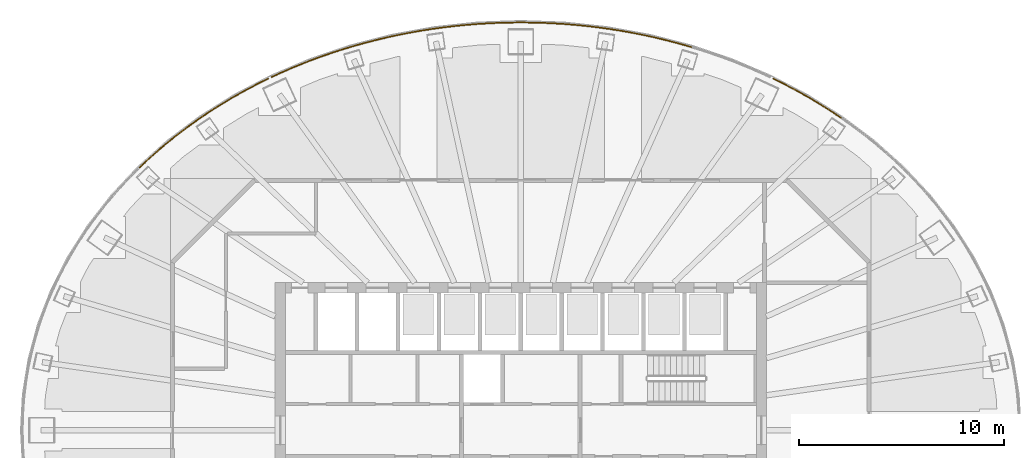
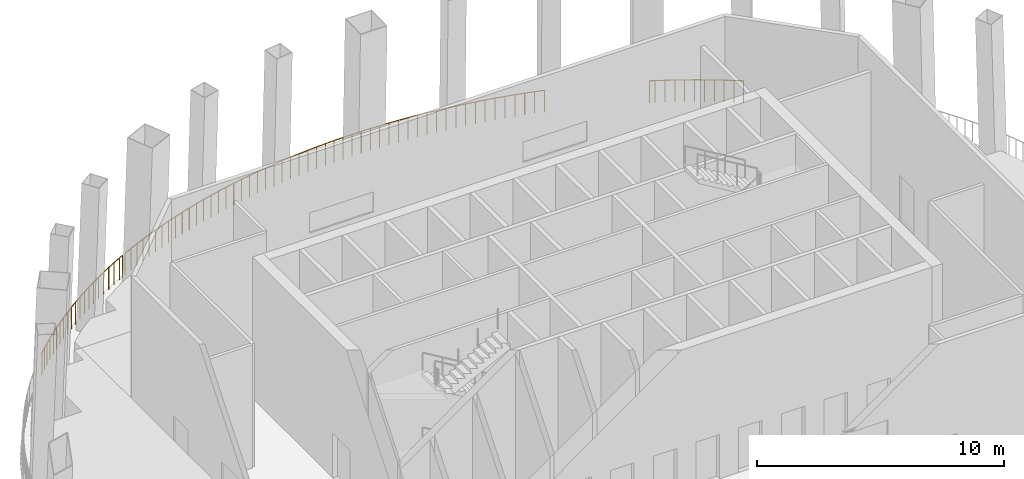
# One storey, part 13 of 15: 8 railings.
"""IFC4 building model written with IfcOpenShell, lengths in metres."""

from ifc_helpers import new_model, si_unit, direction, frame, origin, origin_2d, place, context, subcontext, project, spatial, circle, extrude, material, type_object, element, save


model = new_model("IFC4")

# Units and contexts
model_context = context("Model", 3, precision=1e-05, world=origin(), true_north=direction((0.0, 1.0)))
body_context = subcontext(model_context, "Body", "Model", "MODEL_VIEW")
ifc_project = project(units=[si_unit("LENGTHUNIT", "METRE"), si_unit("AREAUNIT", "SQUARE_METRE"), si_unit("VOLUMEUNIT", "CUBIC_METRE"), si_unit("PLANEANGLEUNIT", "RADIAN"), si_unit("MASSUNIT", "GRAM", prefix="KILO")], contexts=[model_context])

# Site, building, storey
site_placement = place(None, origin())
site = spatial("IfcSite", under=ifc_project, at=site_placement, CompositionType="ELEMENT")
building_placement = place(site_placement, origin())
building = spatial("IfcBuilding", under=site, at=building_placement, Name="Siaravel Broadcast Tower", CompositionType="ELEMENT")
storey_placement = place(building_placement, frame((0.0, 0.0, 145.199951171875)))
storey = spatial("IfcBuildingStorey", under=building, at=storey_placement, Name="L35", CompositionType="ELEMENT", Elevation=145.199951171875)

# Railings
ifc_material = material(Name="Steel S355", Category="steel")
railing_type = type_object("IfcRailingType", Name="Guard 1100", PredefinedType="GUARDRAIL", material=ifc_material)
railing_1_placement = place(storey_placement, frame((15.639892578125, 15.252197265625, 0.080078125)))
element("IfcRailing", 1, at=railing_1_placement, inside=storey, type_object=railing_type, Name="L35 sky garden guard 06", PredefinedType="GUARDRAIL", context=body_context, shape_type="SweptSolid", body=[
    extrude(circle(Radius=0.02392578125, at=origin_2d()), frame((0.0, 0.0, 1.076171875), z_axis=(-0.829085479, 0.559121873, 0.0), x_axis=(-0.559121873, -0.829085479, 0.0)), (0.0, 0.0, 1.0), 0.394287109375),
    extrude(circle(Radius=0.02392578125, at=origin_2d()), frame((-0.326904296875, 0.220458984375, 1.076171875), z_axis=(-0.838063561, 0.545572605, 0.0), x_axis=(-0.545572605, -0.838063561, 0.0)), (0.0, 0.0, 1.0), 0.396484375),
    extrude(circle(Radius=0.02392578125, at=origin_2d()), frame((-0.6591796875, 0.436767578125, 1.076171875), z_axis=(-0.847031383, 0.531542882, 0.0), x_axis=(-0.531542882, -0.847031383, 0.0)), (0.0, 0.0, 1.0), 0.397705078125),
    extrude(circle(Radius=0.02392578125, at=origin_2d()), frame((-0.99609375, 0.648193359375, 1.076171875), z_axis=(-0.855271779, 0.518179683, 0.0), x_axis=(-0.518179683, -0.855271779, 0.0)), (0.0, 0.0, 1.0), 0.399169921875),
    extrude(circle(Radius=0.02392578125, at=origin_2d()), frame((-1.33740234375, 0.85498046875, 1.076171875), z_axis=(-0.863513365, 0.504325955, 0.0), x_axis=(-0.504325955, -0.863513365, 0.0)), (0.0, 0.0, 1.0), 0.400390625),
    extrude(circle(Radius=0.02392578125, at=origin_2d()), frame((-1.68310546875, 1.056884765625, 1.076171875), z_axis=(-0.871737838, 0.489972592, 0.0), x_axis=(-0.489972592, -0.871737838, 0.0)), (0.0, 0.0, 1.0), 0.401611328125),
    extrude(circle(Radius=0.02392578125, at=origin_2d()), frame((-2.033203125, 1.253662109375, 1.076171875), z_axis=(-0.879397774, 0.47608776, 0.0), x_axis=(-0.47608776, -0.879397774, 0.0)), (0.0, 0.0, 1.0), 0.402587890625),
    extrude(circle(Radius=0.02392578125, at=origin_2d()), frame((-2.38720703125, 1.4453125, 1.076171875), z_axis=(-0.886810939, 0.462132404, 0.0), x_axis=(-0.462132404, -0.886810939, 0.0)), (0.0, 0.0, 1.0), 0.404052734375),
    extrude(circle(Radius=0.02392578125, at=origin_2d()), frame((-2.74560546875, 1.632080078125, 1.076171875), z_axis=(-0.893823666, 0.448418616, 0.0), x_axis=(-0.448418616, -0.893823666, 0.0)), (0.0, 0.0, 1.0), 0.405029296875),
    extrude(circle(Radius=0.02392578125, at=origin_2d()), frame((-3.107666015625, 1.813720703125, 1.076171875), z_axis=(-0.899571677, 0.436773166, 0.0), x_axis=(-0.436773166, -0.899571677, 0.0)), (0.0, 0.0, 1.0), 0.2158203125),
    extrude(circle(Radius=0.02099609375, at=origin_2d()), origin(), (0.0, 0.0, 1.0), 1.052001953125),
    extrude(circle(Radius=0.02099609375, at=origin_2d()), frame((-0.326904296875, 0.220458984375, 0.0)), (0.0, 0.0, 1.0), 1.052001953125),
    extrude(circle(Radius=0.02099609375, at=origin_2d()), frame((-0.6591796875, 0.436767578125, 0.0)), (0.0, 0.0, 1.0), 1.052001953125),
    extrude(circle(Radius=0.02099609375, at=origin_2d()), frame((-0.99609375, 0.648193359375, 0.0)), (0.0, 0.0, 1.0), 1.052001953125),
    extrude(circle(Radius=0.02099609375, at=origin_2d()), frame((-1.33740234375, 0.85498046875, 0.0)), (0.0, 0.0, 1.0), 1.052001953125),
    extrude(circle(Radius=0.02099609375, at=origin_2d()), frame((-1.68310546875, 1.056884765625, 0.0)), (0.0, 0.0, 1.0), 1.052001953125),
    extrude(circle(Radius=0.02099609375, at=origin_2d()), frame((-2.033203125, 1.253662109375, 0.0)), (0.0, 0.0, 1.0), 1.052001953125),
    extrude(circle(Radius=0.02099609375, at=origin_2d()), frame((-2.38720703125, 1.4453125, 0.0)), (0.0, 0.0, 1.0), 1.052001953125),
    extrude(circle(Radius=0.02099609375, at=origin_2d()), frame((-2.74560546875, 1.632080078125, 0.0)), (0.0, 0.0, 1.0), 1.052001953125),
    extrude(circle(Radius=0.02099609375, at=origin_2d()), frame((-3.107666015625, 1.813720703125, 0.0)), (0.0, 0.0, 1.0), 1.052001953125),
    extrude(circle(Radius=0.02099609375, at=origin_2d()), frame((-3.3017578125, 1.907958984375, 0.0)), (0.0, 0.0, 1.0), 1.052001953125),
])
railing_2_placement = place(storey_placement, frame((8.322265625, 18.708984375, 0.080078125)))
element("IfcRailing", 2, at=railing_2_placement, inside=storey, type_object=railing_type, Name="L35 sky garden guard 08", PredefinedType="GUARDRAIL", context=body_context, shape_type="SweptSolid", body=[
    extrude(circle(Radius=0.02392578125, at=origin_2d()), frame((0.0, 0.0, 1.076171875), z_axis=(-0.96047772, 0.278356874, 0.0), x_axis=(-0.278356874, -0.96047772, 0.0)), (0.0, 0.0, 1.0), 0.41650390625),
    extrude(circle(Radius=0.02392578125, at=origin_2d()), frame((-0.400146484375, 0.115966796875, 1.076171875), z_axis=(-0.964466449, 0.264205354, 0.0), x_axis=(-0.264205354, -0.964466449, 0.0)), (0.0, 0.0, 1.0), 0.417724609375),
    extrude(circle(Radius=0.02392578125, at=origin_2d()), frame((-0.802978515625, 0.226318359375, 1.076171875), z_axis=(-0.968436589, 0.24926005, 0.0), x_axis=(-0.24926005, -0.968436589, 0.0)), (0.0, 0.0, 1.0), 0.418212890625),
    extrude(circle(Radius=0.02392578125, at=origin_2d()), frame((-1.2080078125, 0.33056640625, 1.076171875), z_axis=(-0.971898599, 0.2353999, 0.0), x_axis=(-0.2353999, -0.971898599, 0.0)), (0.0, 0.0, 1.0), 0.4189453125),
    extrude(circle(Radius=0.02392578125, at=origin_2d()), frame((-1.615234375, 0.42919921875, 1.076171875), z_axis=(-0.975121424, 0.221671398, 0.0), x_axis=(-0.221671398, -0.975121424, 0.0)), (0.0, 0.0, 1.0), 0.419677734375),
    extrude(circle(Radius=0.02392578125, at=origin_2d()), frame((-2.0244140625, 0.522216796875, 1.076171875), z_axis=(-0.978376842, 0.206830259, 0.0), x_axis=(-0.206830259, -0.978376842, 0.0)), (0.0, 0.0, 1.0), 0.420166015625),
    extrude(circle(Radius=0.02392578125, at=origin_2d()), frame((-2.435546875, 0.609130859375, 1.076171875), z_axis=(-0.981178249, 0.19310423, 0.0), x_axis=(-0.19310423, -0.981178249, 0.0)), (0.0, 0.0, 1.0), 0.4208984375),
    extrude(circle(Radius=0.02392578125, at=origin_2d()), frame((-2.8486328125, 0.6904296875, 1.076171875), z_axis=(-0.983943998, 0.178477474, 0.0), x_axis=(-0.178477474, -0.983943998, 0.0)), (0.0, 0.0, 1.0), 0.42138671875),
    extrude(circle(Radius=0.02392578125, at=origin_2d()), frame((-3.26318359375, 0.765625, 1.076171875), z_axis=(-0.986503169, 0.163742168, 0.0), x_axis=(-0.163742168, -0.986503169, 0.0)), (0.0, 0.0, 1.0), 0.421875),
    extrude(circle(Radius=0.02392578125, at=origin_2d()), frame((-3.679443359375, 0.834716796875, 1.076171875), z_axis=(-0.988637523, 0.150319156, 0.0), x_axis=(-0.150319156, -0.988637523, 0.0)), (0.0, 0.0, 1.0), 0.42236328125),
    extrude(circle(Radius=0.02099609375, at=origin_2d()), origin(), (0.0, 0.0, 1.0), 1.052001953125),
    extrude(circle(Radius=0.02099609375, at=origin_2d()), frame((-0.400146484375, 0.115966796875, 0.0)), (0.0, 0.0, 1.0), 1.052001953125),
    extrude(circle(Radius=0.02099609375, at=origin_2d()), frame((-0.802978515625, 0.226318359375, 0.0)), (0.0, 0.0, 1.0), 1.052001953125),
    extrude(circle(Radius=0.02099609375, at=origin_2d()), frame((-1.2080078125, 0.33056640625, 0.0)), (0.0, 0.0, 1.0), 1.052001953125),
    extrude(circle(Radius=0.02099609375, at=origin_2d()), frame((-1.615234375, 0.42919921875, 0.0)), (0.0, 0.0, 1.0), 1.052001953125),
    extrude(circle(Radius=0.02099609375, at=origin_2d()), frame((-2.0244140625, 0.522216796875, 0.0)), (0.0, 0.0, 1.0), 1.052001953125),
    extrude(circle(Radius=0.02099609375, at=origin_2d()), frame((-2.435546875, 0.609130859375, 0.0)), (0.0, 0.0, 1.0), 1.052001953125),
    extrude(circle(Radius=0.02099609375, at=origin_2d()), frame((-2.8486328125, 0.6904296875, 0.0)), (0.0, 0.0, 1.0), 1.052001953125),
    extrude(circle(Radius=0.02099609375, at=origin_2d()), frame((-3.26318359375, 0.765625, 0.0)), (0.0, 0.0, 1.0), 1.052001953125),
    extrude(circle(Radius=0.02099609375, at=origin_2d()), frame((-3.679443359375, 0.834716796875, 0.0)), (0.0, 0.0, 1.0), 1.052001953125),
    extrude(circle(Radius=0.02099609375, at=origin_2d()), frame((-4.096923828125, 0.898193359375, 0.0)), (0.0, 0.0, 1.0), 1.052001953125),
])
railing_3_placement = place(storey_placement, frame((4.225341796875, 19.607177734375, 0.080078125)))
element("IfcRailing", 3, at=railing_3_placement, inside=storey, type_object=railing_type, Name="L35 sky garden guard 09", PredefinedType="GUARDRAIL", context=body_context, shape_type="SweptSolid", body=[
    extrude(circle(Radius=0.02392578125, at=origin_2d()), frame((0.0, 0.0, 1.076171875), z_axis=(-0.990752712, 0.135680004, 0.0), x_axis=(-0.135680004, -0.990752712, 0.0)), (0.0, 0.0, 1.0), 0.4228515625),
    extrude(circle(Radius=0.02392578125, at=origin_2d()), frame((-0.4189453125, 0.057373046875, 1.076171875), z_axis=(-0.992628954, 0.12119307, 0.0), x_axis=(-0.12119307, -0.992628954, 0.0)), (0.0, 0.0, 1.0), 0.423095703125),
    extrude(circle(Radius=0.02392578125, at=origin_2d()), frame((-0.8388671875, 0.108642578125, 1.076171875), z_axis=(-0.994236972, 0.107204682, 0.0), x_axis=(-0.107204682, -0.994236972, 0.0)), (0.0, 0.0, 1.0), 0.423583984375),
    extrude(circle(Radius=0.02392578125, at=origin_2d()), frame((-1.260009765625, 0.154052734375, 1.076171875), z_axis=(-0.995687611, 0.092769505, 0.0), x_axis=(-0.092769505, -0.995687611, 0.0)), (0.0, 0.0, 1.0), 0.423583984375),
    extrude(circle(Radius=0.02392578125, at=origin_2d()), frame((-1.681884765625, 0.193359375, 1.076171875), z_axis=(-0.996931336, 0.078280982, 0.0), x_axis=(-0.078280982, -0.996931336, 0.0)), (0.0, 0.0, 1.0), 0.424072265625),
    extrude(circle(Radius=0.02392578125, at=origin_2d()), frame((-2.104736328125, 0.2265625, 1.076171875), z_axis=(-0.997918142, 0.064493267, 0.0), x_axis=(-0.064493267, -0.997918142, 0.0)), (0.0, 0.0, 1.0), 0.424072265625),
    extrude(circle(Radius=0.02392578125, at=origin_2d()), frame((-2.52783203125, 0.25390625, 1.076171875), z_axis=(-0.998748034, 0.050023649, 0.0), x_axis=(-0.050023649, -0.998748034, 0.0)), (0.0, 0.0, 1.0), 0.424560546875),
    extrude(circle(Radius=0.02392578125, at=origin_2d()), frame((-2.951904296875, 0.275146484375, 1.076171875), z_axis=(-0.999364318, 0.035650511, 0.0), x_axis=(-0.035650511, -0.999364318, 0.0)), (0.0, 0.0, 1.0), 0.424560546875),
    extrude(circle(Radius=0.02392578125, at=origin_2d()), frame((-3.376220703125, 0.290283203125, 1.076171875), z_axis=(-0.99977347, 0.021284015, 0.0), x_axis=(-0.021284015, -0.99977347, 0.0)), (0.0, 0.0, 1.0), 0.42431640625),
    extrude(circle(Radius=0.02392578125, at=origin_2d()), frame((-3.800537109375, 0.29931640625, 1.076171875), z_axis=(-0.999972091, 0.007471056, 0.0), x_axis=(-0.007471056, -0.999972091, 0.0)), (0.0, 0.0, 1.0), 0.4248046875),
    extrude(circle(Radius=0.02099609375, at=origin_2d()), origin(), (0.0, 0.0, 1.0), 1.052001953125),
    extrude(circle(Radius=0.02099609375, at=origin_2d()), frame((-0.4189453125, 0.057373046875, 0.0)), (0.0, 0.0, 1.0), 1.052001953125),
    extrude(circle(Radius=0.02099609375, at=origin_2d()), frame((-0.8388671875, 0.108642578125, 0.0)), (0.0, 0.0, 1.0), 1.052001953125),
    extrude(circle(Radius=0.02099609375, at=origin_2d()), frame((-1.260009765625, 0.154052734375, 0.0)), (0.0, 0.0, 1.0), 1.052001953125),
    extrude(circle(Radius=0.02099609375, at=origin_2d()), frame((-1.681884765625, 0.193359375, 0.0)), (0.0, 0.0, 1.0), 1.052001953125),
    extrude(circle(Radius=0.02099609375, at=origin_2d()), frame((-2.104736328125, 0.2265625, 0.0)), (0.0, 0.0, 1.0), 1.052001953125),
    extrude(circle(Radius=0.02099609375, at=origin_2d()), frame((-2.52783203125, 0.25390625, 0.0)), (0.0, 0.0, 1.0), 1.052001953125),
    extrude(circle(Radius=0.02099609375, at=origin_2d()), frame((-2.951904296875, 0.275146484375, 0.0)), (0.0, 0.0, 1.0), 1.052001953125),
    extrude(circle(Radius=0.02099609375, at=origin_2d()), frame((-3.376220703125, 0.290283203125, 0.0)), (0.0, 0.0, 1.0), 1.052001953125),
    extrude(circle(Radius=0.02099609375, at=origin_2d()), frame((-3.800537109375, 0.29931640625, 0.0)), (0.0, 0.0, 1.0), 1.052001953125),
    extrude(circle(Radius=0.02099609375, at=origin_2d()), frame((-4.225341796875, 0.302490234375, 0.0)), (0.0, 0.0, 1.0), 1.052001953125),
])
railing_4_placement = place(storey_placement, frame((0.0, 19.90966796875, 0.080078125)))
element("IfcRailing", 4, at=railing_4_placement, inside=storey, type_object=railing_type, Name="L35 sky garden guard 10", PredefinedType="GUARDRAIL", context=body_context, shape_type="SweptSolid", body=[
    extrude(circle(Radius=0.02392578125, at=origin_2d()), frame((0.0, 0.0, 1.076171875), z_axis=(-0.999972091, -0.007471056, 0.0), x_axis=(0.007471056, -0.999972091, 0.0)), (0.0, 0.0, 1.0), 0.4248046875),
    extrude(circle(Radius=0.02392578125, at=origin_2d()), frame((-0.4248046875, -0.003173828125, 1.076171875), z_axis=(-0.99977347, -0.021284015, 0.0), x_axis=(0.021284015, -0.99977347, 0.0)), (0.0, 0.0, 1.0), 0.42431640625),
    extrude(circle(Radius=0.02392578125, at=origin_2d()), frame((-0.84912109375, -0.01220703125, 1.076171875), z_axis=(-0.999364318, -0.035650511, 0.0), x_axis=(0.035650511, -0.999364318, 0.0)), (0.0, 0.0, 1.0), 0.424560546875),
    extrude(circle(Radius=0.02392578125, at=origin_2d()), frame((-1.2734375, -0.02734375, 1.076171875), z_axis=(-0.998748034, -0.050023649, 0.0), x_axis=(0.050023649, -0.998748034, 0.0)), (0.0, 0.0, 1.0), 0.424560546875),
    extrude(circle(Radius=0.02392578125, at=origin_2d()), frame((-1.697509765625, -0.048583984375, 1.076171875), z_axis=(-0.997918142, -0.064493267, 0.0), x_axis=(0.064493267, -0.997918142, 0.0)), (0.0, 0.0, 1.0), 0.424072265625),
    extrude(circle(Radius=0.02392578125, at=origin_2d()), frame((-2.12060546875, -0.075927734375, 1.076171875), z_axis=(-0.996931336, -0.078280982, 0.0), x_axis=(0.078280982, -0.996931336, 0.0)), (0.0, 0.0, 1.0), 0.424072265625),
    extrude(circle(Radius=0.02392578125, at=origin_2d()), frame((-2.54345703125, -0.109130859375, 1.076171875), z_axis=(-0.995687611, -0.092769505, 0.0), x_axis=(0.092769505, -0.995687611, 0.0)), (0.0, 0.0, 1.0), 0.423583984375),
    extrude(circle(Radius=0.02392578125, at=origin_2d()), frame((-2.96533203125, -0.1484375, 1.076171875), z_axis=(-0.994236972, -0.107204682, 0.0), x_axis=(0.107204682, -0.994236972, 0.0)), (0.0, 0.0, 1.0), 0.423583984375),
    extrude(circle(Radius=0.02392578125, at=origin_2d()), frame((-3.386474609375, -0.19384765625, 1.076171875), z_axis=(-0.992628954, -0.12119307, 0.0), x_axis=(0.12119307, -0.992628954, 0.0)), (0.0, 0.0, 1.0), 0.423095703125),
    extrude(circle(Radius=0.02392578125, at=origin_2d()), frame((-3.806396484375, -0.2451171875, 1.076171875), z_axis=(-0.990752712, -0.135680004, 0.0), x_axis=(0.135680004, -0.990752712, 0.0)), (0.0, 0.0, 1.0), 0.4228515625),
    extrude(circle(Radius=0.02099609375, at=origin_2d()), origin(), (0.0, 0.0, 1.0), 1.052001953125),
    extrude(circle(Radius=0.02099609375, at=origin_2d()), frame((-0.4248046875, -0.003173828125, 0.0)), (0.0, 0.0, 1.0), 1.052001953125),
    extrude(circle(Radius=0.02099609375, at=origin_2d()), frame((-0.84912109375, -0.01220703125, 0.0)), (0.0, 0.0, 1.0), 1.052001953125),
    extrude(circle(Radius=0.02099609375, at=origin_2d()), frame((-1.2734375, -0.02734375, 0.0)), (0.0, 0.0, 1.0), 1.052001953125),
    extrude(circle(Radius=0.02099609375, at=origin_2d()), frame((-1.697509765625, -0.048583984375, 0.0)), (0.0, 0.0, 1.0), 1.052001953125),
    extrude(circle(Radius=0.02099609375, at=origin_2d()), frame((-2.12060546875, -0.075927734375, 0.0)), (0.0, 0.0, 1.0), 1.052001953125),
    extrude(circle(Radius=0.02099609375, at=origin_2d()), frame((-2.54345703125, -0.109130859375, 0.0)), (0.0, 0.0, 1.0), 1.052001953125),
    extrude(circle(Radius=0.02099609375, at=origin_2d()), frame((-2.96533203125, -0.1484375, 0.0)), (0.0, 0.0, 1.0), 1.052001953125),
    extrude(circle(Radius=0.02099609375, at=origin_2d()), frame((-3.386474609375, -0.19384765625, 0.0)), (0.0, 0.0, 1.0), 1.052001953125),
    extrude(circle(Radius=0.02099609375, at=origin_2d()), frame((-3.806396484375, -0.2451171875, 0.0)), (0.0, 0.0, 1.0), 1.052001953125),
    extrude(circle(Radius=0.02099609375, at=origin_2d()), frame((-4.225341796875, -0.302490234375, 0.0)), (0.0, 0.0, 1.0), 1.052001953125),
])
railing_5_placement = place(storey_placement, frame((-4.225341796875, 19.607177734375, 0.080078125)))
element("IfcRailing", 5, at=railing_5_placement, inside=storey, type_object=railing_type, Name="L35 sky garden guard 11", PredefinedType="GUARDRAIL", context=body_context, shape_type="SweptSolid", body=[
    extrude(circle(Radius=0.02392578125, at=origin_2d()), frame((0.0, 0.0, 1.076171875), z_axis=(-0.988637523, -0.150319156, 0.0), x_axis=(0.150319156, -0.988637523, 0.0)), (0.0, 0.0, 1.0), 0.42236328125),
    extrude(circle(Radius=0.02392578125, at=origin_2d()), frame((-0.41748046875, -0.0634765625, 1.076171875), z_axis=(-0.986503169, -0.163742168, 0.0), x_axis=(0.163742168, -0.986503169, 0.0)), (0.0, 0.0, 1.0), 0.421875),
    extrude(circle(Radius=0.02392578125, at=origin_2d()), frame((-0.833740234375, -0.132568359375, 1.076171875), z_axis=(-0.983943998, -0.178477474, 0.0), x_axis=(0.178477474, -0.983943998, 0.0)), (0.0, 0.0, 1.0), 0.42138671875),
    extrude(circle(Radius=0.02392578125, at=origin_2d()), frame((-1.248291015625, -0.207763671875, 1.076171875), z_axis=(-0.981178249, -0.19310423, 0.0), x_axis=(0.19310423, -0.981178249, 0.0)), (0.0, 0.0, 1.0), 0.4208984375),
    extrude(circle(Radius=0.02392578125, at=origin_2d()), frame((-1.661376953125, -0.2890625, 1.076171875), z_axis=(-0.978376842, -0.206830259, 0.0), x_axis=(0.206830259, -0.978376842, 0.0)), (0.0, 0.0, 1.0), 0.420166015625),
    extrude(circle(Radius=0.02392578125, at=origin_2d()), frame((-2.072509765625, -0.3759765625, 1.076171875), z_axis=(-0.975121424, -0.221671398, 0.0), x_axis=(0.221671398, -0.975121424, 0.0)), (0.0, 0.0, 1.0), 0.419677734375),
    extrude(circle(Radius=0.02392578125, at=origin_2d()), frame((-2.481689453125, -0.468994140625, 1.076171875), z_axis=(-0.971898599, -0.2353999, 0.0), x_axis=(0.2353999, -0.971898599, 0.0)), (0.0, 0.0, 1.0), 0.4189453125),
    extrude(circle(Radius=0.02392578125, at=origin_2d()), frame((-2.888916015625, -0.567626953125, 1.076171875), z_axis=(-0.968436589, -0.24926005, 0.0), x_axis=(0.24926005, -0.968436589, 0.0)), (0.0, 0.0, 1.0), 0.418212890625),
    extrude(circle(Radius=0.02392578125, at=origin_2d()), frame((-3.2939453125, -0.671875, 1.076171875), z_axis=(-0.964466449, -0.264205354, 0.0), x_axis=(0.264205354, -0.964466449, 0.0)), (0.0, 0.0, 1.0), 0.417724609375),
    extrude(circle(Radius=0.02392578125, at=origin_2d()), frame((-3.69677734375, -0.7822265625, 1.076171875), z_axis=(-0.96047772, -0.278356874, 0.0), x_axis=(0.278356874, -0.96047772, 0.0)), (0.0, 0.0, 1.0), 0.41650390625),
    extrude(circle(Radius=0.02099609375, at=origin_2d()), origin(), (0.0, 0.0, 1.0), 1.052001953125),
    extrude(circle(Radius=0.02099609375, at=origin_2d()), frame((-0.41748046875, -0.0634765625, 0.0)), (0.0, 0.0, 1.0), 1.052001953125),
    extrude(circle(Radius=0.02099609375, at=origin_2d()), frame((-0.833740234375, -0.132568359375, 0.0)), (0.0, 0.0, 1.0), 1.052001953125),
    extrude(circle(Radius=0.02099609375, at=origin_2d()), frame((-1.248291015625, -0.207763671875, 0.0)), (0.0, 0.0, 1.0), 1.052001953125),
    extrude(circle(Radius=0.02099609375, at=origin_2d()), frame((-1.661376953125, -0.2890625, 0.0)), (0.0, 0.0, 1.0), 1.052001953125),
    extrude(circle(Radius=0.02099609375, at=origin_2d()), frame((-2.072509765625, -0.3759765625, 0.0)), (0.0, 0.0, 1.0), 1.052001953125),
    extrude(circle(Radius=0.02099609375, at=origin_2d()), frame((-2.481689453125, -0.468994140625, 0.0)), (0.0, 0.0, 1.0), 1.052001953125),
    extrude(circle(Radius=0.02099609375, at=origin_2d()), frame((-2.888916015625, -0.567626953125, 0.0)), (0.0, 0.0, 1.0), 1.052001953125),
    extrude(circle(Radius=0.02099609375, at=origin_2d()), frame((-3.2939453125, -0.671875, 0.0)), (0.0, 0.0, 1.0), 1.052001953125),
    extrude(circle(Radius=0.02099609375, at=origin_2d()), frame((-3.69677734375, -0.7822265625, 0.0)), (0.0, 0.0, 1.0), 1.052001953125),
    extrude(circle(Radius=0.02099609375, at=origin_2d()), frame((-4.096923828125, -0.898193359375, 0.0)), (0.0, 0.0, 1.0), 1.052001953125),
])
railing_6_placement = place(storey_placement, frame((-8.322265625, 18.708984375, 0.080078125)))
element("IfcRailing", 6, at=railing_6_placement, inside=storey, type_object=railing_type, Name="L35 sky garden guard 12", PredefinedType="GUARDRAIL", context=body_context, shape_type="SweptSolid", body=[
    extrude(circle(Radius=0.02392578125, at=origin_2d()), frame((0.0, 0.0, 1.076171875), z_axis=(-0.956196605, -0.292725218, 0.0), x_axis=(0.292725218, -0.956196605, 0.0)), (0.0, 0.0, 1.0), 0.416259765625),
    extrude(circle(Radius=0.02392578125, at=origin_2d()), frame((-0.39794921875, -0.121826171875, 1.076171875), z_axis=(-0.951869286, -0.306504263, 0.0), x_axis=(0.306504263, -0.951869286, 0.0)), (0.0, 0.0, 1.0), 0.4150390625),
    extrude(circle(Radius=0.02392578125, at=origin_2d()), frame((-0.79296875, -0.2490234375, 1.076171875), z_axis=(-0.947020316, -0.321173661, 0.0), x_axis=(0.321173661, -0.947020316, 0.0)), (0.0, 0.0, 1.0), 0.414306640625),
    extrude(circle(Radius=0.02392578125, at=origin_2d()), frame((-1.185302734375, -0.382080078125, 1.076171875), z_axis=(-0.942048858, -0.335475706, 0.0), x_axis=(0.335475706, -0.942048858, 0.0)), (0.0, 0.0, 1.0), 0.413330078125),
    extrude(circle(Radius=0.02392578125, at=origin_2d()), frame((-1.57470703125, -0.520751953125, 1.076171875), z_axis=(-0.937032744, -0.349241516, 0.0), x_axis=(0.349241516, -0.937032744, 0.0)), (0.0, 0.0, 1.0), 0.412353515625),
    extrude(circle(Radius=0.02392578125, at=origin_2d()), frame((-1.961181640625, -0.664794921875, 1.076171875), z_axis=(-0.931513893, -0.363705743, 0.0), x_axis=(0.363705743, -0.931513893, 0.0)), (0.0, 0.0, 1.0), 0.411376953125),
    extrude(circle(Radius=0.02392578125, at=origin_2d()), frame((-2.344482421875, -0.814453125, 1.076171875), z_axis=(-0.925953766, -0.377636893, 0.0), x_axis=(0.377636893, -0.925953766, 0.0)), (0.0, 0.0, 1.0), 0.41064453125),
    extrude(circle(Radius=0.02392578125, at=origin_2d()), frame((-2.724609375, -0.969482421875, 1.076171875), z_axis=(-0.920067764, -0.391759249, 0.0), x_axis=(0.391759249, -0.920067764, 0.0)), (0.0, 0.0, 1.0), 0.409423828125),
    extrude(circle(Radius=0.02392578125, at=origin_2d()), frame((-3.101318359375, -1.1298828125, 1.076171875), z_axis=(-0.913934751, -0.405861148, 0.0), x_axis=(0.405861148, -0.913934751, 0.0)), (0.0, 0.0, 1.0), 0.408447265625),
    extrude(circle(Radius=0.02392578125, at=origin_2d()), frame((-3.474609375, -1.295654296875, 1.076171875), z_axis=(-0.90744998, -0.420160129, 0.0), x_axis=(0.420160129, -0.90744998, 0.0)), (0.0, 0.0, 1.0), 0.4072265625),
    extrude(circle(Radius=0.02099609375, at=origin_2d()), origin(), (0.0, 0.0, 1.0), 1.052001953125),
    extrude(circle(Radius=0.02099609375, at=origin_2d()), frame((-0.39794921875, -0.121826171875, 0.0)), (0.0, 0.0, 1.0), 1.052001953125),
    extrude(circle(Radius=0.02099609375, at=origin_2d()), frame((-0.79296875, -0.2490234375, 0.0)), (0.0, 0.0, 1.0), 1.052001953125),
    extrude(circle(Radius=0.02099609375, at=origin_2d()), frame((-1.185302734375, -0.382080078125, 0.0)), (0.0, 0.0, 1.0), 1.052001953125),
    extrude(circle(Radius=0.02099609375, at=origin_2d()), frame((-1.57470703125, -0.520751953125, 0.0)), (0.0, 0.0, 1.0), 1.052001953125),
    extrude(circle(Radius=0.02099609375, at=origin_2d()), frame((-1.961181640625, -0.664794921875, 0.0)), (0.0, 0.0, 1.0), 1.052001953125),
    extrude(circle(Radius=0.02099609375, at=origin_2d()), frame((-2.344482421875, -0.814453125, 0.0)), (0.0, 0.0, 1.0), 1.052001953125),
    extrude(circle(Radius=0.02099609375, at=origin_2d()), frame((-2.724609375, -0.969482421875, 0.0)), (0.0, 0.0, 1.0), 1.052001953125),
    extrude(circle(Radius=0.02099609375, at=origin_2d()), frame((-3.101318359375, -1.1298828125, 0.0)), (0.0, 0.0, 1.0), 1.052001953125),
    extrude(circle(Radius=0.02099609375, at=origin_2d()), frame((-3.474609375, -1.295654296875, 0.0)), (0.0, 0.0, 1.0), 1.052001953125),
    extrude(circle(Radius=0.02099609375, at=origin_2d()), frame((-3.84423828125, -1.466796875, 0.0)), (0.0, 0.0, 1.0), 1.052001953125),
])
railing_7_placement = place(storey_placement, frame((-12.338134765625, 17.16015625, 0.080078125)))
element("IfcRailing", 7, at=railing_7_placement, inside=storey, type_object=railing_type, Name="L35 sky garden guard 13", PredefinedType="GUARDRAIL", context=body_context, shape_type="SweptSolid", body=[
    extrude(circle(Radius=0.02392578125, at=origin_2d()), frame((0.0, 0.0, 1.076171875), z_axis=(-0.899571677, -0.436773166, 0.0), x_axis=(0.436773166, -0.899571677, 0.0)), (0.0, 0.0, 1.0), 0.2158203125),
    extrude(circle(Radius=0.02392578125, at=origin_2d()), frame((-0.194091796875, -0.09423828125, 1.076171875), z_axis=(-0.893823666, -0.448418616, 0.0), x_axis=(0.448418616, -0.893823666, 0.0)), (0.0, 0.0, 1.0), 0.405029296875),
    extrude(circle(Radius=0.02392578125, at=origin_2d()), frame((-0.55615234375, -0.27587890625, 1.076171875), z_axis=(-0.886810939, -0.462132404, 0.0), x_axis=(0.462132404, -0.886810939, 0.0)), (0.0, 0.0, 1.0), 0.404052734375),
    extrude(circle(Radius=0.02392578125, at=origin_2d()), frame((-0.91455078125, -0.462646484375, 1.076171875), z_axis=(-0.879397774, -0.47608776, 0.0), x_axis=(0.47608776, -0.879397774, 0.0)), (0.0, 0.0, 1.0), 0.402587890625),
    extrude(circle(Radius=0.02392578125, at=origin_2d()), frame((-1.2685546875, -0.654296875, 1.076171875), z_axis=(-0.871737838, -0.489972592, 0.0), x_axis=(0.489972592, -0.871737838, 0.0)), (0.0, 0.0, 1.0), 0.401611328125),
    extrude(circle(Radius=0.02392578125, at=origin_2d()), frame((-1.61865234375, -0.85107421875, 1.076171875), z_axis=(-0.863513365, -0.504325955, 0.0), x_axis=(0.504325955, -0.863513365, 0.0)), (0.0, 0.0, 1.0), 0.400390625),
    extrude(circle(Radius=0.02392578125, at=origin_2d()), frame((-1.96435546875, -1.052978515625, 1.076171875), z_axis=(-0.855271779, -0.518179683, 0.0), x_axis=(0.518179683, -0.855271779, 0.0)), (0.0, 0.0, 1.0), 0.399169921875),
    extrude(circle(Radius=0.02392578125, at=origin_2d()), frame((-2.3056640625, -1.259765625, 1.076171875), z_axis=(-0.847031383, -0.531542882, 0.0), x_axis=(0.531542882, -0.847031383, 0.0)), (0.0, 0.0, 1.0), 0.397705078125),
    extrude(circle(Radius=0.02392578125, at=origin_2d()), frame((-2.642578125, -1.47119140625, 1.076171875), z_axis=(-0.838063561, -0.545572605, 0.0), x_axis=(0.545572605, -0.838063561, 0.0)), (0.0, 0.0, 1.0), 0.396484375),
    extrude(circle(Radius=0.02392578125, at=origin_2d()), frame((-2.974853515625, -1.6875, 1.076171875), z_axis=(-0.829085479, -0.559121873, 0.0), x_axis=(0.559121873, -0.829085479, 0.0)), (0.0, 0.0, 1.0), 0.394287109375),
    extrude(circle(Radius=0.02099609375, at=origin_2d()), origin(), (0.0, 0.0, 1.0), 1.052001953125),
    extrude(circle(Radius=0.02099609375, at=origin_2d()), frame((-0.194091796875, -0.09423828125, 0.0)), (0.0, 0.0, 1.0), 1.052001953125),
    extrude(circle(Radius=0.02099609375, at=origin_2d()), frame((-0.55615234375, -0.27587890625, 0.0)), (0.0, 0.0, 1.0), 1.052001953125),
    extrude(circle(Radius=0.02099609375, at=origin_2d()), frame((-0.91455078125, -0.462646484375, 0.0)), (0.0, 0.0, 1.0), 1.052001953125),
    extrude(circle(Radius=0.02099609375, at=origin_2d()), frame((-1.2685546875, -0.654296875, 0.0)), (0.0, 0.0, 1.0), 1.052001953125),
    extrude(circle(Radius=0.02099609375, at=origin_2d()), frame((-1.61865234375, -0.85107421875, 0.0)), (0.0, 0.0, 1.0), 1.052001953125),
    extrude(circle(Radius=0.02099609375, at=origin_2d()), frame((-1.96435546875, -1.052978515625, 0.0)), (0.0, 0.0, 1.0), 1.052001953125),
    extrude(circle(Radius=0.02099609375, at=origin_2d()), frame((-2.3056640625, -1.259765625, 0.0)), (0.0, 0.0, 1.0), 1.052001953125),
    extrude(circle(Radius=0.02099609375, at=origin_2d()), frame((-2.642578125, -1.47119140625, 0.0)), (0.0, 0.0, 1.0), 1.052001953125),
    extrude(circle(Radius=0.02099609375, at=origin_2d()), frame((-2.974853515625, -1.6875, 0.0)), (0.0, 0.0, 1.0), 1.052001953125),
    extrude(circle(Radius=0.02099609375, at=origin_2d()), frame((-3.3017578125, -1.907958984375, 0.0)), (0.0, 0.0, 1.0), 1.052001953125),
])
railing_8_placement = place(storey_placement, frame((-15.660888671875, 15.23779296875, 0.080078125)))
element("IfcRailing", 8, at=railing_8_placement, inside=storey, type_object=railing_type, Name="L35 sky garden guard 14", PredefinedType="GUARDRAIL", context=body_context, shape_type="SweptSolid", body=[
    extrude(circle(Radius=0.02392578125, at=origin_2d()), frame((0.0, 0.0, 1.076171875), z_axis=(-0.819449012, -0.573152089, 0.0), x_axis=(0.573152089, -0.819449012, 0.0)), (0.0, 0.0, 1.0), 0.36962890625),
    extrude(circle(Radius=0.02392578125, at=origin_2d()), frame((-0.302978515625, -0.2119140625, 1.076171875), z_axis=(-0.809891172, -0.586580165, 0.0), x_axis=(0.586580165, -0.809891172, 0.0)), (0.0, 0.0, 1.0), 0.392578125),
    extrude(circle(Radius=0.02392578125, at=origin_2d()), frame((-0.620849609375, -0.442138671875, 1.076171875), z_axis=(-0.800374142, -0.599500819, 0.0), x_axis=(0.599500819, -0.800374142, 0.0)), (0.0, 0.0, 1.0), 0.391357421875),
    extrude(circle(Radius=0.02392578125, at=origin_2d()), frame((-0.93408203125, -0.6767578125, 1.076171875), z_axis=(-0.78982378, -0.613333838, 0.0), x_axis=(0.613333838, -0.78982378, 0.0)), (0.0, 0.0, 1.0), 0.39013671875),
    extrude(circle(Radius=0.02392578125, at=origin_2d()), frame((-1.2421875, -0.916015625, 1.076171875), z_axis=(-0.779026654, -0.626990807, 0.0), x_axis=(0.626990807, -0.779026654, 0.0)), (0.0, 0.0, 1.0), 0.388671875),
    extrude(circle(Radius=0.02392578125, at=origin_2d()), frame((-1.544921875, -1.15966796875, 1.076171875), z_axis=(-0.768737515, -0.639564408, 0.0), x_axis=(0.639564408, -0.768737515, 0.0)), (0.0, 0.0, 1.0), 0.387451171875),
    extrude(circle(Radius=0.02392578125, at=origin_2d()), frame((-1.8427734375, -1.407470703125, 1.076171875), z_axis=(-0.75737759, -0.652977171, 0.0), x_axis=(0.652977171, -0.75737759, 0.0)), (0.0, 0.0, 1.0), 0.3857421875),
    extrude(circle(Radius=0.02392578125, at=origin_2d()), frame((-2.135009765625, -1.659423828125, 1.076171875), z_axis=(-0.745656101, -0.666330984, 0.0), x_axis=(0.666330984, -0.745656101, 0.0)), (0.0, 0.0, 1.0), 0.384765625),
    extrude(circle(Radius=0.02392578125, at=origin_2d()), frame((-2.421875, -1.915771484375, 1.076171875), z_axis=(-0.734583574, -0.678518219, 0.0), x_axis=(0.678518219, -0.734583574, 0.0)), (0.0, 0.0, 1.0), 0.38330078125),
    extrude(circle(Radius=0.02392578125, at=origin_2d()), frame((-2.703369140625, -2.17578125, 1.076171875), z_axis=(-0.721655507, -0.69225236, 0.0), x_axis=(0.69225236, -0.721655507, 0.0)), (0.0, 0.0, 1.0), 0.3818359375),
    extrude(circle(Radius=0.02099609375, at=origin_2d()), origin(), (0.0, 0.0, 1.0), 1.052001953125),
    extrude(circle(Radius=0.02099609375, at=origin_2d()), frame((-0.302978515625, -0.2119140625, 0.0)), (0.0, 0.0, 1.0), 1.052001953125),
    extrude(circle(Radius=0.02099609375, at=origin_2d()), frame((-0.620849609375, -0.442138671875, 0.0)), (0.0, 0.0, 1.0), 1.052001953125),
    extrude(circle(Radius=0.02099609375, at=origin_2d()), frame((-0.93408203125, -0.6767578125, 0.0)), (0.0, 0.0, 1.0), 1.052001953125),
    extrude(circle(Radius=0.02099609375, at=origin_2d()), frame((-1.2421875, -0.916015625, 0.0)), (0.0, 0.0, 1.0), 1.052001953125),
    extrude(circle(Radius=0.02099609375, at=origin_2d()), frame((-1.544921875, -1.15966796875, 0.0)), (0.0, 0.0, 1.0), 1.052001953125),
    extrude(circle(Radius=0.02099609375, at=origin_2d()), frame((-1.8427734375, -1.407470703125, 0.0)), (0.0, 0.0, 1.0), 1.052001953125),
    extrude(circle(Radius=0.02099609375, at=origin_2d()), frame((-2.135009765625, -1.659423828125, 0.0)), (0.0, 0.0, 1.0), 1.052001953125),
    extrude(circle(Radius=0.02099609375, at=origin_2d()), frame((-2.421875, -1.915771484375, 0.0)), (0.0, 0.0, 1.0), 1.052001953125),
    extrude(circle(Radius=0.02099609375, at=origin_2d()), frame((-2.703369140625, -2.17578125, 0.0)), (0.0, 0.0, 1.0), 1.052001953125),
    extrude(circle(Radius=0.02099609375, at=origin_2d()), frame((-2.97900390625, -2.440185546875, 0.0)), (0.0, 0.0, 1.0), 1.052001953125),
])

save(model, "model.ifc")
